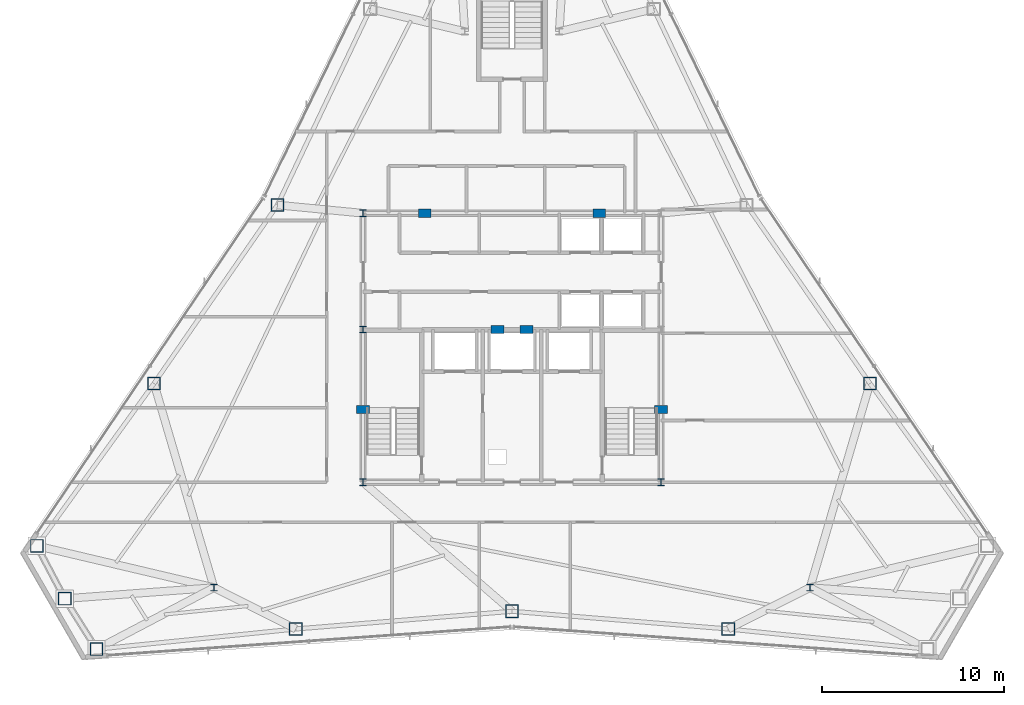
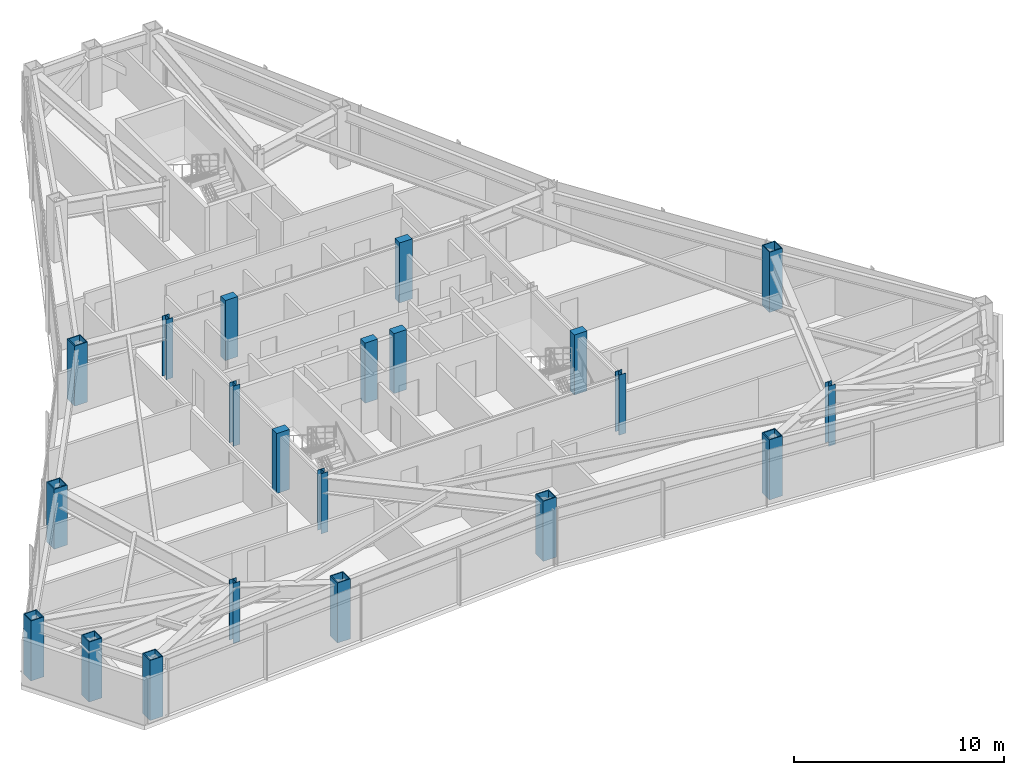
# One storey, part 1 of 12: 21 columns.
"""IFC4 building model written with IfcOpenShell, lengths in metres."""

import ifcopenshell
import ifcopenshell.guid

model = None  # the IFC model being written
_history = None  # IfcOwnerHistory: only IFC2X3 demands one
_inside = {}  # id of a spatial element -> (the spatial element, [elements in it])
_under = {}  # id of a project, library or spatial element -> (it, [spatial elements below it])
_declared = {}  # id of a project -> (the project, [libraries it declares])
_typed = {}  # id of a type object -> (the type object, [elements of that type])
_made_of = {}  # id of a material, layer set ... -> (it, [elements and type objects made of it])


def new_model(schema):
    """Start an empty IFC model of exactly this schema.

    Asked for "IFC4X3", IfcOpenShell would pick the latest addendum, in which some entities
    have other attributes; the version numbers below select the first issue.
    IFC2X3 requires an IfcOwnerHistory on every rooted entity: one is made here for all.
    """
    global model, _history
    if schema == "IFC4X3":
        model = ifcopenshell.file(schema_version=(4, 3, 0, 0))
    else:
        model = ifcopenshell.file(schema=schema)
    _inside.clear()
    _under.clear()
    _declared.clear()
    _typed.clear()
    _made_of.clear()
    _history = None
    if model.schema == "IFC2X3":
        org = make("IfcOrganization", Name="unknown")
        user = make(
            "IfcPersonAndOrganization",
            ThePerson=make("IfcPerson", FamilyName="unknown"),
            TheOrganization=org,
        )
        app = make(
            "IfcApplication",
            ApplicationDeveloper=org,
            Version="unknown",
            ApplicationFullName="unknown",
            ApplicationIdentifier="unknown",
        )
        _history = make(
            "IfcOwnerHistory",
            OwningUser=user,
            OwningApplication=app,
            ChangeAction="ADDED",
            CreationDate=0,
        )
    return model


def make(cls, **values):
    """One entity of the class cls with the attributes given. An attribute that is None is left unset."""
    return model.create_entity(
        cls, **{name: value for name, value in values.items() if value is not None}
    )


def rooted(cls, **values):
    """An entity with a GlobalId (a new one), such as an element, a storey or a relation."""
    return make(cls, GlobalId=ifcopenshell.guid.new(), OwnerHistory=_history, **values)


def si_unit(unit_type, name, prefix=None):
    """IfcSIUnit, for example si_unit("LENGTHUNIT", "METRE", prefix="MILLI")."""
    return make("IfcSIUnit", UnitType=unit_type, Prefix=prefix, Name=name)


def assignment(units):
    """IfcUnitAssignment: the units of a project."""
    return None if units is None else make("IfcUnitAssignment", Units=units)


def point(xyz):
    """IfcCartesianPoint."""
    return None if xyz is None else make("IfcCartesianPoint", Coordinates=xyz)


def direction(xyz):
    """IfcDirection."""
    return None if xyz is None else make("IfcDirection", DirectionRatios=xyz)


def frame(location, z_axis=None, x_axis=None):
    """IfcAxis2Placement3D, a coordinate frame: its origin and axes. An axis left out is left unset."""
    return make(
        "IfcAxis2Placement3D",
        Location=point(location),
        Axis=direction(z_axis),
        RefDirection=direction(x_axis),
    )


def frame_2d(location, x_axis=None):
    """IfcAxis2Placement2D, a coordinate frame in the plane: its origin and x axis."""
    return make(
        "IfcAxis2Placement2D", Location=point(location), RefDirection=direction(x_axis)
    )


def origin():
    """The frame at (0, 0, 0) with its axes left unset."""
    return frame((0.0, 0.0, 0.0))


def origin_2d():
    """The frame at (0, 0) in the plane with its x axis left unset."""
    return frame_2d((0.0, 0.0))


def place(relative_to, where):
    """IfcLocalPlacement: puts the frame where relative to a parent placement (None: the world)."""
    return make(
        "IfcLocalPlacement", PlacementRelTo=relative_to, RelativePlacement=where
    )


def context(
    kind, dimensions, precision=None, world=None, true_north=None, identifier=None
):
    """IfcGeometricRepresentationContext, for example the 3D "Model" context."""
    return make(
        "IfcGeometricRepresentationContext",
        ContextIdentifier=identifier,
        ContextType=kind,
        CoordinateSpaceDimension=dimensions,
        Precision=precision,
        WorldCoordinateSystem=world,
        TrueNorth=true_north,
    )


def subcontext(parent, identifier, kind, view, scale=None):
    """IfcGeometricRepresentationSubContext, for example "Body" below "Model"."""
    return make(
        "IfcGeometricRepresentationSubContext",
        ContextIdentifier=identifier,
        ContextType=kind,
        ParentContext=parent,
        TargetScale=scale,
        TargetView=view,
    )


def project(units=None, contexts=None):
    """IfcProject with its units and contexts."""
    return rooted(
        "IfcProject",
        Name="project",
        RepresentationContexts=contexts,
        UnitsInContext=assignment(units),
    )


def spatial(cls, under=None, at=None, **own):
    """A site, building, storey or space (cls), placed at a placement, below another one or the project."""
    s = rooted(cls, ObjectPlacement=at, **own)
    if under is not None:
        _under.setdefault(under.id(), (under, []))[1].append(s)
    return s


def profile(cls, at=None, kind="AREA", **sizes):
    """A parametric profile (cls). Its sizes go by their IFC names, for example OverallWidth=200.0."""
    return make(cls, ProfileType=kind, Position=at, **sizes)


def rectangle(**sizes):
    """IfcRectangleProfileDef."""
    return profile("IfcRectangleProfileDef", **sizes)


def hollow_rectangle(**sizes):
    """IfcRectangleHollowProfileDef."""
    return profile("IfcRectangleHollowProfileDef", **sizes)


def i_section(**sizes):
    """IfcIShapeProfileDef."""
    return profile("IfcIShapeProfileDef", **sizes)


def extrude(swept, where, along, depth):
    """IfcExtrudedAreaSolid: the profile swept, set in the frame where, extruded along a direction by depth."""
    return make(
        "IfcExtrudedAreaSolid",
        SweptArea=swept,
        Position=where,
        ExtrudedDirection=direction(along),
        Depth=depth,
    )


def shape(context_of_items, identifier, shape_type, items):
    """IfcShapeRepresentation: the items that make up one representation, for example the "Body"."""
    return make(
        "IfcShapeRepresentation",
        ContextOfItems=context_of_items,
        RepresentationIdentifier=identifier,
        RepresentationType=shape_type,
        Items=items,
    )


def material(Name=None, Category=None):
    """IfcMaterial."""
    return make("IfcMaterial", Name=Name, Category=Category)


def material_profile(
    of_material, cross_section, Name=None, Category=None, Priority=None
):
    """IfcMaterialProfile: a cross section and its material."""
    return make(
        "IfcMaterialProfile",
        Name=Name,
        Material=of_material,
        Profile=cross_section,
        Priority=Priority,
        Category=Category,
    )


def profile_set(profiles, Name=None, composite=None):
    """IfcMaterialProfileSet."""
    return make(
        "IfcMaterialProfileSet",
        Name=Name,
        MaterialProfiles=profiles,
        CompositeProfile=composite,
    )


def made_of(thing, what):
    """Note that an element or type object is made of a material, layer set ...; save() writes the relation."""
    if what is not None:
        _made_of.setdefault(what.id(), (what, []))[1].append(thing)
    return thing


def type_object(cls, material=None, **own):
    """A type object (cls), such as IfcWallType, which elements share."""
    return made_of(rooted(cls, **own), material)


def element(
    cls,
    number,
    at=None,
    inside=None,
    cuts=None,
    type_object=None,
    material=None,
    context=None,
    identifier="Body",
    shape_type=None,
    held_by="IfcProductDefinitionShape",
    body=None,
    shapes=None,
    **own,
):
    """One element of the class cls, such as IfcWall. Its Tag is "e" and its number.

    at: its placement. inside: the storey or other place that contains it. cuts: it is an
    opening in that element (IfcRelVoidsElement). A single representation is given by context,
    identifier, shape_type and body (its items); several are given by shapes. held_by: the class
    of the entity that holds the representations. save() writes the other relations.
    """
    e = rooted(cls, Tag="e%d" % number, ObjectPlacement=at, **own)
    if body is not None:
        shapes = [shape(context, identifier, shape_type, body)]
    if shapes is not None:
        e.Representation = make(held_by, Representations=shapes)
    if inside is not None:
        _inside.setdefault(inside.id(), (inside, []))[1].append(e)
    if cuts is not None:
        rooted(
            "IfcRelVoidsElement", RelatingBuildingElement=cuts, RelatedOpeningElement=e
        )
    if type_object is not None:
        _typed.setdefault(type_object.id(), (type_object, []))[1].append(e)
    return made_of(e, material)


def aggregate(whole, parts):
    """IfcRelAggregates: a whole, such as a stair, and the parts it consists of."""
    return rooted("IfcRelAggregates", RelatingObject=whole, RelatedObjects=parts)


def save(model, path):
    """Write the relations noted so far, then the file.

    IfcRelAggregates (storeys below a building ...), IfcRelContainedInSpatialStructure (elements
    in a storey), IfcRelDefinesByType, IfcRelAssociatesMaterial and IfcRelDeclares: one each for
    every whole, place, type object, material and project.
    """
    for whole, parts in _under.values():
        aggregate(whole, parts)
    for where, things in _inside.values():
        rooted(
            "IfcRelContainedInSpatialStructure",
            RelatedElements=things,
            RelatingStructure=where,
        )
    for kind, things in _typed.values():
        rooted("IfcRelDefinesByType", RelatedObjects=things, RelatingType=kind)
    for what, things in _made_of.values():
        rooted("IfcRelAssociatesMaterial", RelatedObjects=things, RelatingMaterial=what)
    for by, libraries in _declared.values():
        rooted("IfcRelDeclares", RelatingContext=by, RelatedDefinitions=libraries)
    model.write(path)


model = new_model("IFC4")

# Units and contexts
model_context = context("Model", 3, precision=1e-05, world=origin(), true_north=direction((0.0, 1.0)))
body_context = subcontext(model_context, "Body", "Model", "MODEL_VIEW")
ifc_project = project(units=[si_unit("LENGTHUNIT", "METRE"), si_unit("AREAUNIT", "SQUARE_METRE"), si_unit("VOLUMEUNIT", "CUBIC_METRE"), si_unit("PLANEANGLEUNIT", "RADIAN"), si_unit("MASSUNIT", "GRAM", prefix="KILO")], contexts=[model_context])

# Site, building, storey
site_placement = place(None, origin())
site = spatial("IfcSite", under=ifc_project, at=site_placement, CompositionType="ELEMENT")
building_placement = place(site_placement, origin())
building = spatial("IfcBuilding", under=site, at=building_placement, Name="Varakhsha Concourse Tower", CompositionType="ELEMENT")
storey_placement = place(building_placement, frame((0.0, 0.0, 204.89990234375)))
storey = spatial("IfcBuildingStorey", under=building, at=storey_placement, Name="L58", CompositionType="ELEMENT", Elevation=204.89990234375)

# Columns
ifc_material_1 = material(Name="Structural Steel ASTM A992 Grade 50", Category="steel")
ifc_material_profile_1 = material_profile(ifc_material_1, i_section(OverallWidth=0.3740234375, OverallDepth=0.3720703125, WebThickness=0.01611328125, FlangeThickness=0.02587890625, at=origin_2d()), Name="W14X132")
ifc_profile_set_1 = profile_set([ifc_material_profile_1], Name="Structural Steel ASTM A992 Grade 50")
column_type_1 = type_object("IfcColumnType", Name="CL-CORE-W14X132", PredefinedType="COLUMN", material=ifc_profile_set_1)
for number, where, z_axis, x_axis, name in (
    (1, (31.800048828125, 16.39990234375, 0.0), (0.0, 0.0, 1.0), (1.0, 0.0, 0.0), "L58 Core Column CC-SW"),
    (2, (48.199951171875, 16.39990234375, 0.0), (0.0, 0.0, 1.0), (1.0, 0.0, 0.0), "L58 Core Column CC-SE"),
    (3, (31.800048828125, 24.800048828125, 0.0), (0.0, 0.0, 1.0), (1.0, 0.0, 0.0), "L58 Core Column CC-MW"),
    (4, (31.800048828125, 31.199951171875, 0.0), (0.0, 0.0, 1.0), (1.0, 0.0, 0.0), "L58 Core Column CC-NW"),
    (5, (23.60009765625, 10.60009765625, 0.0), (0.0, 0.0, 1.0), (1.0, 0.0, 0.0), "L58 Core Column SS-W"),
    (6, (56.39990234375, 10.60009765625, 0.0), (0.0, 0.0, 1.0), (1.0, 0.0, 0.0), "L58 Core Column SS-E"),
):
    element("IfcColumn", number, at=place(storey_placement, frame(where, z_axis=z_axis, x_axis=x_axis)), inside=storey, type_object=column_type_1, Name=name, PredefinedType="COLUMN", context=body_context, shape_type="SweptSolid", body=[
        extrude(i_section(OverallWidth=0.3740234375, OverallDepth=0.3720703125, WebThickness=0.01611328125, FlangeThickness=0.02587890625, at=origin_2d()), origin(), (0.0, 0.0, 1.0), 3.5),
    ])
ifc_material_2 = material(Name="Concrete fc 65 MPa", Category="concrete")
ifc_material_profile_2 = material_profile(ifc_material_2, rectangle(XDim=0.699951171875, YDim=0.449951171875, at=origin_2d()), Name="RC 700x450")
ifc_profile_set_2 = profile_set([ifc_material_profile_2], Name="Concrete fc 65 MPa")
column_type_2 = type_object("IfcColumnType", Name="CL-PIL-700X450", PredefinedType="PILASTER", material=ifc_profile_set_2)
for number, where, z_axis, x_axis, name in (
    (7, (31.800048828125, 20.39990234375, 0.0), (0.0, 0.0, 1.0), (1.0, 0.0, 0.0), "L58 Core Boundary Pilaster PIL-W1"),
    (8, (48.199951171875, 20.39990234375, 0.0), (0.0, 0.0, 1.0), (1.0, 0.0, 0.0), "L58 Core Boundary Pilaster PIL-E1"),
    (9, (35.199951171875, 31.199951171875, 0.0), (0.0, 0.0, 1.0), (1.0, 0.0, 0.0), "L58 Core Boundary Pilaster PIL-N1"),
    (10, (44.800048828125, 31.199951171875, 0.0), (0.0, 0.0, 1.0), (1.0, 0.0, 0.0), "L58 Core Boundary Pilaster PIL-N2"),
    (11, (39.199951171875, 24.800048828125, 0.0), (0.0, 0.0, 1.0), (1.0, 0.0, 0.0), "L58 Core Boundary Pilaster PIL-M1"),
    (12, (40.800048828125, 24.800048828125, 0.0), (0.0, 0.0, 1.0), (1.0, 0.0, 0.0), "L58 Core Boundary Pilaster PIL-M2"),
):
    element("IfcColumn", number, at=place(storey_placement, frame(where, z_axis=z_axis, x_axis=x_axis)), inside=storey, type_object=column_type_2, Name=name, PredefinedType="PILASTER", context=body_context, shape_type="SweptSolid", body=[
        extrude(rectangle(XDim=0.699951171875, YDim=0.449951171875, at=origin_2d()), origin(), (0.0, 0.0, 1.0), 3.5),
    ])
ifc_material_3 = material(Name="Structural Steel ASTM A572 Grade 50", Category="steel")
ifc_material_profile_3 = material_profile(ifc_material_3, hollow_rectangle(XDim=0.719970703125, YDim=0.719970703125, WallThickness=0.050048828125, at=origin_2d()), Name="BOX 720x720x50")
ifc_profile_set_3 = profile_set([ifc_material_profile_3], Name="Structural Steel ASTM A572 Grade 50")
column_type_3 = type_object("IfcColumnType", Name="CL-TUBE-720", PredefinedType="COLUMN", material=ifc_profile_set_3)
for number, where, z_axis, x_axis, name in (
    (13, (27.09375, 31.651611328125, 0.0), (0.0, 0.0, 1.0), (1.0, 0.0, 0.0), "L58 Framed-Tube Column TC05"),
    (14, (20.301513671875, 21.833740234375, 0.0), (0.0, 0.0, 1.0), (1.0, 0.0, 0.0), "L58 Framed-Tube Column TC06"),
    (15, (13.856201171875, 12.897216796875, 0.0), (0.0, 0.0, 1.0), (1.0, 0.0, 0.0), "L58 Framed-Tube Column TC07"),
    (16, (15.389404296875, 9.9912109375, 0.0), (0.0, 0.0, 1.0), (1.0, 0.0, 0.0), "L58 Framed-Tube Column TC08"),
    (17, (17.1396484375, 7.210205078125, 0.0), (0.0, 0.0, 1.0), (1.0, 0.0, 0.0), "L58 Framed-Tube Column TC09"),
    (18, (28.1015625, 8.323486328125, 0.0), (0.0, 0.0, 1.0), (1.0, 0.0, 0.0), "L58 Framed-Tube Column TC10"),
    (19, (40.0, 9.297119140625, 0.0), (0.0, 0.0, 1.0), (1.0, 0.0, 0.0), "L58 Framed-Tube Column TC11"),
    (20, (51.8984375, 8.323486328125, 0.0), (0.0, 0.0, 1.0), (1.0, 0.0, 0.0), "L58 Framed-Tube Column TC12"),
    (21, (59.698486328125, 21.833740234375, 0.0), (0.0, 0.0, 1.0), (1.0, 0.0, 0.0), "L58 Framed-Tube Column TC16"),
):
    element("IfcColumn", number, at=place(storey_placement, frame(where, z_axis=z_axis, x_axis=x_axis)), inside=storey, type_object=column_type_3, Name=name, PredefinedType="COLUMN", context=body_context, shape_type="SweptSolid", body=[
        extrude(hollow_rectangle(XDim=0.719970703125, YDim=0.719970703125, WallThickness=0.050048828125, at=origin_2d()), origin(), (0.0, 0.0, 1.0), 3.5),
    ])

save(model, "model.ifc")
